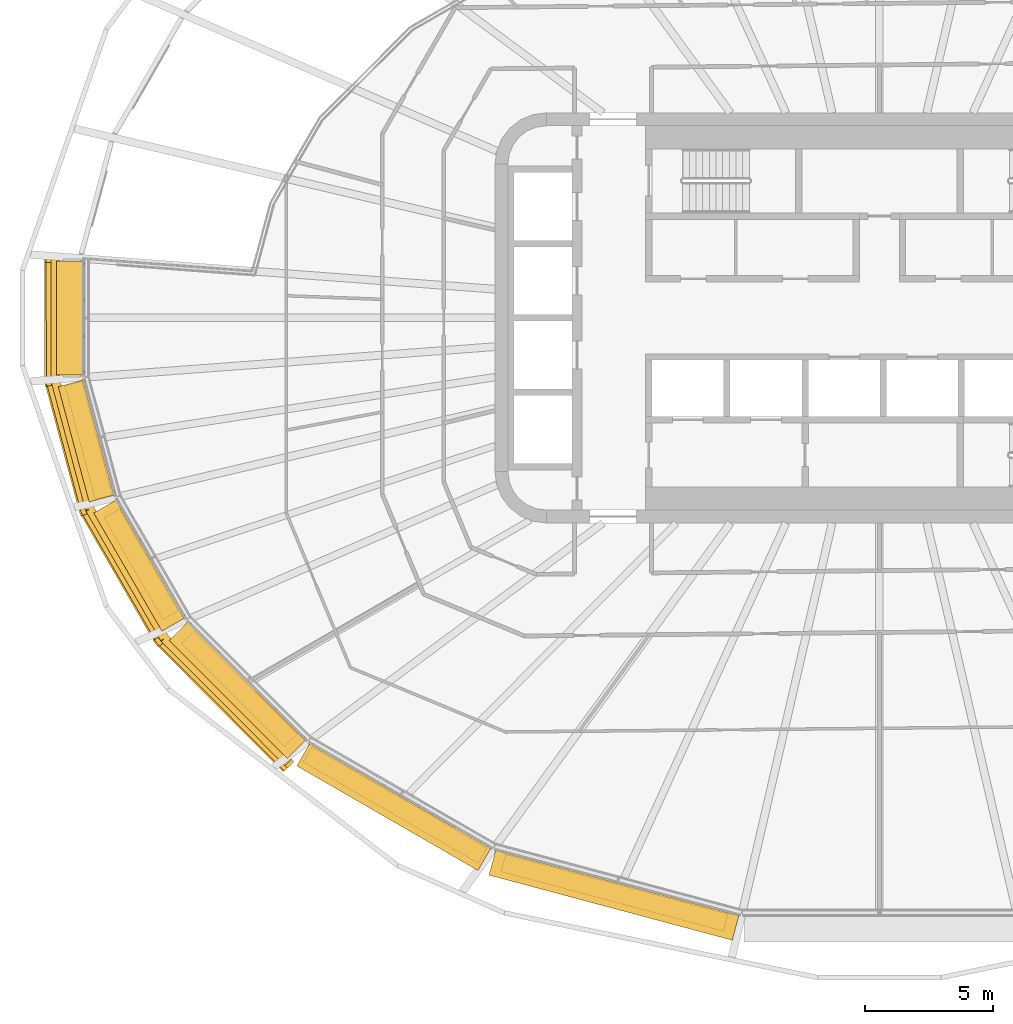
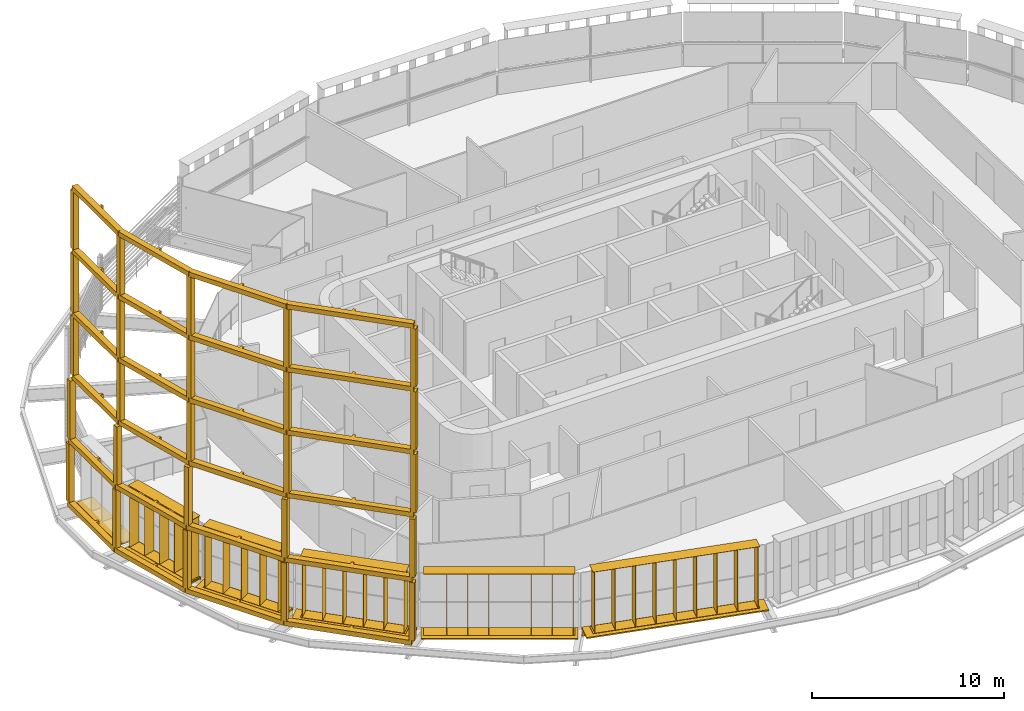
# One storey, part 17 of 22: 12 shading devices.
"""IFC4 building model written with IfcOpenShell, lengths in metres."""

from ifc_helpers import new_model, si_unit, direction, frame, origin, origin_2d, place, context, subcontext, project, spatial, polyline, rectangle, outline, extrude, material, type_object, element, save


model = new_model("IFC4")

# Units and contexts
model_context = context("Model", 3, precision=1e-05, world=origin(), true_north=direction((0.0, 1.0)))
body_context = subcontext(model_context, "Body", "Model", "MODEL_VIEW")
ifc_project = project(units=[si_unit("LENGTHUNIT", "METRE"), si_unit("AREAUNIT", "SQUARE_METRE"), si_unit("VOLUMEUNIT", "CUBIC_METRE"), si_unit("PLANEANGLEUNIT", "RADIAN"), si_unit("MASSUNIT", "GRAM", prefix="KILO")], contexts=[model_context])

# Site, building, storey
site_placement = place(None, origin())
site = spatial("IfcSite", under=ifc_project, at=site_placement, CompositionType="ELEMENT")
building_placement = place(site_placement, origin())
building = spatial("IfcBuilding", under=site, at=building_placement, Name="Sahrelin Media Tower", CompositionType="ELEMENT")
storey_placement = place(building_placement, frame((0.0, 0.0, 177.60009765625)))
storey = spatial("IfcBuildingStorey", under=building, at=storey_placement, Name="L37", CompositionType="ELEMENT", Elevation=177.60009765625)

# Shading devices
ifc_material_1 = material(Name="Dark bronze anodised aluminium 6063-T6", Category="aluminium")
shading_device_type_1 = type_object("IfcShadingDeviceType", Name="Deep frame", PredefinedType="USERDEFINED", material=ifc_material_1)
shading_device_1_placement = place(storey_placement, frame((-31.081787109375, 2.32177734375, 0.0), z_axis=(0.0, 0.0, 1.0), x_axis=(0.0, 1.0, 0.0)))
element("IfcShadingDevice", 1, at=shading_device_1_placement, inside=storey, type_object=shading_device_type_1, Name="L37:FRAME:F3-2", ObjectType="FRAME", PredefinedType="USERDEFINED", context=body_context, shape_type="SweptSolid", body=[
    extrude(rectangle(XDim=0.300048828125, YDim=0.35009765625, at=origin_2d()), frame((0.0, 1.324951171875, 0.14990234375), z_axis=(0.0, 0.0, 1.0), x_axis=(-1.0, 0.0, 0.0)), (0.0, 0.0, 1.0), 3.7001953125),
    extrude(rectangle(XDim=0.300048828125, YDim=0.35009765625, at=origin_2d()), frame((-4.81640625, 1.313720703125, 0.14990234375), z_axis=(0.0, 0.0, 1.0), x_axis=(-0.991436202368, -0.130591947046, 0.0)), (0.0, 0.0, 1.0), 3.7001953125),
    extrude(rectangle(XDim=0.300048828125, YDim=0.35009765625, at=origin_2d()), frame((-9.841796875, -0.03271484375, 0.14990234375), z_axis=(0.0, 0.0, 1.0), x_axis=(-0.923897565017, -0.382639895143, 0.0)), (0.0, 0.0, 1.0), 3.7001953125),
    extrude(rectangle(XDim=0.300048828125, YDim=0.35009765625, at=origin_2d()), frame((-14.9267578125, -2.96875, 0.14990234375), z_axis=(0.0, 0.0, 1.0), x_axis=(-0.793352277801, -0.608762813671, 0.0)), (0.0, 0.0, 1.0), 3.7001953125),
    extrude(rectangle(XDim=0.300048828125, YDim=0.35009765625, at=origin_2d()), frame((-19.804443359375, -7.830322265625, 0.14990234375), z_axis=(0.0, 0.0, 1.0), x_axis=(-0.707106781187, -0.707106781187, 0.0)), (0.0, 0.0, 1.0), 3.7001953125),
    extrude(outline(polyline([(-19.927978515625, -7.706298828125), (-19.680908203125, -7.9541015625), (-17.356201171875, -5.63720703125), (-17.23291015625, -5.7607421875), (-17.126708984375, -5.654541015625), (-17.25, -5.53125), (-14.819580078125, -3.10888671875), (-12.36181640625, -1.689697265625), (-12.27734375, -1.8359375), (-12.1474609375, -1.760986328125), (-12.231689453125, -1.61474609375), (-9.774169921875, -0.19580078125), (-7.356201171875, 0.451904296875), (-7.3125, 0.2890625), (-7.167724609375, 0.327880859375), (-7.21142578125, 0.49072265625), (-4.793212890625, 1.138671875), (-2.396728515625, 1.144287109375), (-2.396728515625, 0.969970703125), (-2.246826171875, 0.969970703125), (-2.246826171875, 1.144775390625), (0.00048828125, 1.14990234375), (-0.00048828125, 1.5), (-4.81689453125, 1.48876953125), (-4.81640625, 1.313720703125), (-4.86181640625, 1.482666015625), (-9.886962890625, 0.13623046875), (-9.841796875, -0.03271484375), (-9.92919921875, 0.118896484375), (-15.014404296875, -2.817138671875), (-14.9267578125, -2.96875), (-15.05029296875, -2.8447265625), (-19.927978515625, -7.706298828125)])), frame((0.0, 0.0, -0.14990234375)), (0.0, 0.0, 1.0), 0.2998046875),
    extrude(rectangle(XDim=0.300048828125, YDim=0.35009765625, at=origin_2d()), frame((-0.005126953125, 1.2587890625, 4.14990234375), z_axis=(0.0, 0.0, 1.0), x_axis=(-1.0, 0.0, 0.0)), (0.0, 0.0, 1.0), 3.7001953125),
    extrude(rectangle(XDim=0.300048828125, YDim=0.35009765625, at=origin_2d()), frame((-4.811279296875, 1.24755859375, 4.14990234375), z_axis=(0.0, 0.0, 1.0), x_axis=(-0.991434606813, -0.130604059715, 0.0)), (0.0, 0.0, 1.0), 3.7001953125),
    extrude(rectangle(XDim=0.300048828125, YDim=0.35009765625, at=origin_2d()), frame((-9.825927734375, -0.09619140625, 4.14990234375), z_axis=(0.0, 0.0, 1.0), x_axis=(-0.923862165937, -0.382725356294, 0.0)), (0.0, 0.0, 1.0), 3.7001953125),
    extrude(rectangle(XDim=0.300048828125, YDim=0.35009765625, at=origin_2d()), frame((-14.900634765625, -3.02587890625, 4.14990234375), z_axis=(0.0, 0.0, 1.0), x_axis=(-0.793352277801, -0.608762813671, 0.0)), (0.0, 0.0, 1.0), 3.7001953125),
    extrude(rectangle(XDim=0.300048828125, YDim=0.35009765625, at=origin_2d()), frame((-19.767822265625, -7.877197265625, 4.14990234375), z_axis=(0.0, 0.0, 1.0), x_axis=(-0.707106781187, -0.707106781187, 0.0)), (0.0, 0.0, 1.0), 3.7001953125),
    extrude(outline(polyline([(-19.8916015625, -7.75341796875), (-19.644287109375, -8.001220703125), (-17.324951171875, -5.689453125), (-17.201416015625, -5.812744140625), (-17.095458984375, -5.706787109375), (-17.218505859375, -5.58349609375), (-14.793212890625, -3.166015625), (-12.3408203125, -1.75), (-12.25634765625, -1.896240234375), (-12.12646484375, -1.8212890625), (-12.210693359375, -1.675048828125), (-9.75830078125, -0.25927734375), (-7.345703125, 0.38720703125), (-7.30224609375, 0.224365234375), (-7.1572265625, 0.26318359375), (-7.200927734375, 0.426025390625), (-4.7880859375, 1.072509765625), (-2.396728515625, 1.078369140625), (-2.396728515625, 0.90380859375), (-2.246826171875, 0.90380859375), (-2.246826171875, 1.07861328125), (-0.0048828125, 1.083984375), (-0.005615234375, 1.433837890625), (-4.811767578125, 1.422607421875), (-4.811279296875, 1.24755859375), (-4.856689453125, 1.41650390625), (-9.871337890625, 0.072998046875), (-9.825927734375, -0.09619140625), (-9.91357421875, 0.055419921875), (-14.988037109375, -2.87451171875), (-14.900634765625, -3.02587890625), (-15.024169921875, -2.902099609375), (-19.8916015625, -7.75341796875)])), frame((0.0, 0.0, 3.85009765625)), (0.0, 0.0, 1.0), 0.2998046875),
    extrude(rectangle(XDim=0.300048828125, YDim=0.35009765625, at=origin_2d()), frame((-0.02001953125, 1.070556640625, 8.14990234375), z_axis=(0.0, 0.0, 1.0), x_axis=(-1.0, 0.0, 0.0)), (0.0, 0.0, 1.0), 3.7001953125),
    extrude(rectangle(XDim=0.300048828125, YDim=0.35009765625, at=origin_2d()), frame((-4.796630859375, 1.059326171875, 8.14990234375), z_axis=(0.0, 0.0, 1.0), x_axis=(-0.991434606813, -0.130604059715, 0.0)), (0.0, 0.0, 1.0), 3.7001953125),
    extrude(rectangle(XDim=0.300048828125, YDim=0.35009765625, at=origin_2d()), frame((-9.781494140625, -0.276611328125, 8.14990234375), z_axis=(0.0, 0.0, 1.0), x_axis=(-0.923897565017, -0.382639895143, 0.0)), (0.0, 0.0, 1.0), 3.7001953125),
    extrude(rectangle(XDim=0.300048828125, YDim=0.35009765625, at=origin_2d()), frame((-14.825927734375, -3.18896484375, 8.14990234375), z_axis=(0.0, 0.0, 1.0), x_axis=(-0.793352277801, -0.608762813671, 0.0)), (0.0, 0.0, 1.0), 3.7001953125),
    extrude(rectangle(XDim=0.300048828125, YDim=0.35009765625, at=origin_2d()), frame((-19.663818359375, -8.0107421875, 8.14990234375), z_axis=(0.0, 0.0, 1.0), x_axis=(-0.707106781187, -0.707106781187, 0.0)), (0.0, 0.0, 1.0), 3.7001953125),
    extrude(outline(polyline([(-19.787353515625, -7.88671875), (-19.540283203125, -8.134765625), (-17.235595703125, -5.837646484375), (-17.112060546875, -5.9609375), (-17.006103515625, -5.85498046875), (-17.129150390625, -5.731689453125), (-14.718505859375, -3.3291015625), (-12.281005859375, -1.921630859375), (-12.19677734375, -2.06787109375), (-12.06689453125, -1.992919921875), (-12.151123046875, -1.8466796875), (-9.7138671875, -0.439453125), (-7.316162109375, 0.202880859375), (-7.2724609375, 0.0400390625), (-7.127685546875, 0.078857421875), (-7.171142578125, 0.24169921875), (-4.773193359375, 0.88427734375), (-2.396728515625, 0.889892578125), (-2.396728515625, 0.715576171875), (-2.246826171875, 0.715576171875), (-2.246826171875, 0.890380859375), (-0.01953125, 0.8955078125), (-0.0205078125, 1.24560546875), (-4.797119140625, 1.234375), (-4.796630859375, 1.059326171875), (-4.841796875, 1.228271484375), (-9.82666015625, -0.107421875), (-9.781494140625, -0.276611328125), (-9.868896484375, -0.125), (-14.913330078125, -3.037353515625), (-14.825927734375, -3.18896484375), (-14.949462890625, -3.06494140625), (-19.787353515625, -7.88671875)])), frame((0.0, 0.0, 7.85009765625)), (0.0, 0.0, 1.0), 0.2998046875),
    extrude(rectangle(XDim=0.300048828125, YDim=0.35009765625, at=origin_2d()), frame((-0.02001953125, 1.070556640625, 12.14990234375), z_axis=(0.0, 0.0, 1.0), x_axis=(-1.0, 0.0, 0.0)), (0.0, 0.0, 1.0), 3.7001953125),
    extrude(rectangle(XDim=0.300048828125, YDim=0.35009765625, at=origin_2d()), frame((-4.796630859375, 1.059326171875, 12.14990234375), z_axis=(0.0, 0.0, 1.0), x_axis=(-0.991434606813, -0.130604059715, 0.0)), (0.0, 0.0, 1.0), 3.7001953125),
    extrude(rectangle(XDim=0.300048828125, YDim=0.35009765625, at=origin_2d()), frame((-9.781494140625, -0.276611328125, 12.14990234375), z_axis=(0.0, 0.0, 1.0), x_axis=(-0.923897565017, -0.382639895143, 0.0)), (0.0, 0.0, 1.0), 3.7001953125),
    extrude(rectangle(XDim=0.300048828125, YDim=0.35009765625, at=origin_2d()), frame((-14.825927734375, -3.18896484375, 12.14990234375), z_axis=(0.0, 0.0, 1.0), x_axis=(-0.793352277801, -0.608762813671, 0.0)), (0.0, 0.0, 1.0), 3.7001953125),
    extrude(rectangle(XDim=0.300048828125, YDim=0.35009765625, at=origin_2d()), frame((-19.663818359375, -8.0107421875, 12.14990234375), z_axis=(0.0, 0.0, 1.0), x_axis=(-0.707106781187, -0.707106781187, 0.0)), (0.0, 0.0, 1.0), 3.7001953125),
    extrude(outline(polyline([(-19.787353515625, -7.88671875), (-19.540283203125, -8.134765625), (-17.235595703125, -5.837646484375), (-17.112060546875, -5.9609375), (-17.006103515625, -5.85498046875), (-17.129150390625, -5.731689453125), (-14.718505859375, -3.3291015625), (-12.281005859375, -1.921630859375), (-12.19677734375, -2.06787109375), (-12.06689453125, -1.992919921875), (-12.151123046875, -1.8466796875), (-9.7138671875, -0.439453125), (-7.316162109375, 0.202880859375), (-7.2724609375, 0.0400390625), (-7.127685546875, 0.078857421875), (-7.171142578125, 0.24169921875), (-4.773193359375, 0.88427734375), (-2.396728515625, 0.889892578125), (-2.396728515625, 0.715576171875), (-2.246826171875, 0.715576171875), (-2.246826171875, 0.890380859375), (-0.01953125, 0.8955078125), (-0.0205078125, 1.24560546875), (-4.797119140625, 1.234375), (-4.796630859375, 1.059326171875), (-4.841796875, 1.228271484375), (-9.82666015625, -0.107421875), (-9.781494140625, -0.276611328125), (-9.868896484375, -0.125), (-14.913330078125, -3.037353515625), (-14.825927734375, -3.18896484375), (-14.949462890625, -3.06494140625), (-19.787353515625, -7.88671875)])), frame((0.0, 0.0, 11.85009765625)), (0.0, 0.0, 1.0), 0.2998046875),
    extrude(rectangle(XDim=0.300048828125, YDim=0.35009765625, at=origin_2d()), frame((-0.02001953125, 1.070556640625, 16.14990234375), z_axis=(0.0, 0.0, 1.0), x_axis=(-1.0, 0.0, 0.0)), (0.0, 0.0, 1.0), 3.7001953125),
    extrude(rectangle(XDim=0.300048828125, YDim=0.35009765625, at=origin_2d()), frame((-4.796630859375, 1.059326171875, 16.14990234375), z_axis=(0.0, 0.0, 1.0), x_axis=(-0.991434606813, -0.130604059715, 0.0)), (0.0, 0.0, 1.0), 3.7001953125),
    extrude(rectangle(XDim=0.300048828125, YDim=0.35009765625, at=origin_2d()), frame((-9.781494140625, -0.276611328125, 16.14990234375), z_axis=(0.0, 0.0, 1.0), x_axis=(-0.923897565017, -0.382639895143, 0.0)), (0.0, 0.0, 1.0), 3.7001953125),
    extrude(rectangle(XDim=0.300048828125, YDim=0.35009765625, at=origin_2d()), frame((-14.825927734375, -3.18896484375, 16.14990234375), z_axis=(0.0, 0.0, 1.0), x_axis=(-0.793352277801, -0.608762813671, 0.0)), (0.0, 0.0, 1.0), 3.7001953125),
    extrude(rectangle(XDim=0.300048828125, YDim=0.35009765625, at=origin_2d()), frame((-19.663818359375, -8.0107421875, 16.14990234375), z_axis=(0.0, 0.0, 1.0), x_axis=(-0.707106781187, -0.707106781187, 0.0)), (0.0, 0.0, 1.0), 3.7001953125),
    extrude(outline(polyline([(-19.787353515625, -7.88671875), (-19.540283203125, -8.134765625), (-17.235595703125, -5.837646484375), (-17.112060546875, -5.9609375), (-17.006103515625, -5.85498046875), (-17.129150390625, -5.731689453125), (-14.718505859375, -3.3291015625), (-12.281005859375, -1.921630859375), (-12.19677734375, -2.06787109375), (-12.06689453125, -1.992919921875), (-12.151123046875, -1.8466796875), (-9.7138671875, -0.439453125), (-7.316162109375, 0.202880859375), (-7.2724609375, 0.0400390625), (-7.127685546875, 0.078857421875), (-7.171142578125, 0.24169921875), (-4.773193359375, 0.88427734375), (-2.396728515625, 0.889892578125), (-2.396728515625, 0.715576171875), (-2.246826171875, 0.715576171875), (-2.246826171875, 0.890380859375), (-0.01953125, 0.8955078125), (-0.0205078125, 1.24560546875), (-4.797119140625, 1.234375), (-4.796630859375, 1.059326171875), (-4.841796875, 1.228271484375), (-9.82666015625, -0.107421875), (-9.781494140625, -0.276611328125), (-9.868896484375, -0.125), (-14.913330078125, -3.037353515625), (-14.825927734375, -3.18896484375), (-14.949462890625, -3.06494140625), (-19.787353515625, -7.88671875)])), frame((0.0, 0.0, 15.85009765625)), (0.0, 0.0, 1.0), 0.2998046875),
    extrude(outline(polyline([(-19.787353515625, -7.88671875), (-19.540283203125, -8.134765625), (-17.235595703125, -5.837646484375), (-17.112060546875, -5.9609375), (-17.006103515625, -5.85498046875), (-17.129150390625, -5.731689453125), (-14.718505859375, -3.3291015625), (-12.281005859375, -1.921630859375), (-12.19677734375, -2.06787109375), (-12.06689453125, -1.992919921875), (-12.151123046875, -1.8466796875), (-9.7138671875, -0.439453125), (-7.316162109375, 0.202880859375), (-7.2724609375, 0.0400390625), (-7.127685546875, 0.078857421875), (-7.171142578125, 0.24169921875), (-4.773193359375, 0.88427734375), (-2.396728515625, 0.889892578125), (-2.396728515625, 0.715576171875), (-2.246826171875, 0.715576171875), (-2.246826171875, 0.890380859375), (-0.01953125, 0.8955078125), (-0.0205078125, 1.24560546875), (-4.797119140625, 1.234375), (-4.796630859375, 1.059326171875), (-4.841796875, 1.228271484375), (-9.82666015625, -0.107421875), (-9.781494140625, -0.276611328125), (-9.868896484375, -0.125), (-14.913330078125, -3.037353515625), (-14.825927734375, -3.18896484375), (-14.949462890625, -3.06494140625), (-19.787353515625, -7.88671875)])), frame((0.0, 0.0, 19.85009765625)), (0.0, 0.0, 1.0), 0.2998046875),
])
ifc_material_2 = material(Name="Champagne anodised aluminium 6063-T6", Category="aluminium")
shading_device_type_2 = type_object("IfcShadingDeviceType", Name="Fin cassette", PredefinedType="USERDEFINED", material=ifc_material_2)
placement_1 = place(storey_placement, frame((-30.453369140625, -4.667236328125, 0.0), z_axis=(0.0, 0.0, 1.0), x_axis=(-0.258807731996, 0.965928857556, 0.0)))
element("IfcShadingDevice", 2, at=placement_1, inside=storey, type_object=shading_device_type_2, Name="L37:FIN:L37-13", ObjectType="FIN", PredefinedType="USERDEFINED", context=body_context, shape_type="SweptSolid", body=[
    extrude(rectangle(XDim=4.60009765625, YDim=0.699951171875, at=origin_2d()), frame((0.0, 0.419921875, 0.0)), (0.0, 0.0, 1.0), 0.02001953125),
    extrude(rectangle(XDim=4.60009765625, YDim=0.699951171875, at=origin_2d()), frame((0.0, 0.419921875, 3.89990234375)), (0.0, 0.0, 1.0), 0.02001953125),
    extrude(rectangle(XDim=0.02001953125, YDim=0.699951171875, at=origin_2d()), frame((-2.199951171875, 0.419921875, 0.010009765625), z_axis=(0.0, 0.0, 1.0), x_axis=(1.0, 0.0, 0.0)), (0.0, 0.0, 1.0), 3.89990234375),
    extrude(rectangle(XDim=0.02001953125, YDim=0.699951171875, at=origin_2d()), frame((-1.10009765625, 0.419921875, 0.010009765625), z_axis=(0.0, 0.0, 1.0), x_axis=(1.0, 0.0, 0.0)), (0.0, 0.0, 1.0), 3.89990234375),
    extrude(rectangle(XDim=0.02001953125, YDim=0.699951171875, at=origin_2d()), frame((0.0, 0.419921875, 0.010009765625), z_axis=(0.0, 0.0, 1.0), x_axis=(1.0, 0.0, 0.0)), (0.0, 0.0, 1.0), 3.89990234375),
    extrude(rectangle(XDim=0.02001953125, YDim=0.699951171875, at=origin_2d()), frame((1.10009765625, 0.419921875, 0.010009765625), z_axis=(0.0, 0.0, 1.0), x_axis=(1.0, 0.0, 0.0)), (0.0, 0.0, 1.0), 3.89990234375),
    extrude(rectangle(XDim=0.02001953125, YDim=0.699951171875, at=origin_2d()), frame((2.199951171875, 0.419921875, 0.010009765625), z_axis=(0.0, 0.0, 1.0), x_axis=(1.0, 0.0, 0.0)), (0.0, 0.0, 1.0), 3.89990234375),
])
placement_2 = place(storey_placement, frame((-28.443359375, -9.405517578125, 0.0), z_axis=(0.0, 0.0, 1.0), x_axis=(-0.500011000363, 0.866019052629, 0.0)))
element("IfcShadingDevice", 3, at=placement_2, inside=storey, type_object=shading_device_type_2, Name="L37:FIN:L37-14", ObjectType="FIN", PredefinedType="USERDEFINED", context=body_context, shape_type="SweptSolid", body=[
    extrude(rectangle(XDim=4.60009765625, YDim=0.699951171875, at=origin_2d()), frame((0.0, 0.419921875, 0.0)), (0.0, 0.0, 1.0), 0.02001953125),
    extrude(rectangle(XDim=4.60009765625, YDim=0.699951171875, at=origin_2d()), frame((0.0, 0.419921875, 3.89990234375)), (0.0, 0.0, 1.0), 0.02001953125),
    extrude(rectangle(XDim=0.02001953125, YDim=0.699951171875, at=origin_2d()), frame((-2.199951171875, 0.419921875, 0.010009765625), z_axis=(0.0, 0.0, 1.0), x_axis=(1.0, 0.0, 0.0)), (0.0, 0.0, 1.0), 3.89990234375),
    extrude(rectangle(XDim=0.02001953125, YDim=0.699951171875, at=origin_2d()), frame((-1.10009765625, 0.419921875, 0.010009765625), z_axis=(0.0, 0.0, 1.0), x_axis=(1.0, 0.0, 0.0)), (0.0, 0.0, 1.0), 3.89990234375),
    extrude(rectangle(XDim=0.02001953125, YDim=0.699951171875, at=origin_2d()), frame((0.0, 0.419921875, 0.010009765625), z_axis=(0.0, 0.0, 1.0), x_axis=(1.0, 0.0, 0.0)), (0.0, 0.0, 1.0), 3.89990234375),
    extrude(rectangle(XDim=0.02001953125, YDim=0.699951171875, at=origin_2d()), frame((1.10009765625, 0.419921875, 0.010009765625), z_axis=(0.0, 0.0, 1.0), x_axis=(1.0, 0.0, 0.0)), (0.0, 0.0, 1.0), 3.89990234375),
    extrude(rectangle(XDim=0.02001953125, YDim=0.699951171875, at=origin_2d()), frame((2.199951171875, 0.419921875, 0.010009765625), z_axis=(0.0, 0.0, 1.0), x_axis=(1.0, 0.0, 0.0)), (0.0, 0.0, 1.0), 3.89990234375),
])
placement_3 = place(storey_placement, frame((-24.688232421875, -14.172119140625, 0.0), z_axis=(0.0, 0.0, 1.0), x_axis=(-0.707106781187, 0.707106781187, 0.0)))
element("IfcShadingDevice", 4, at=placement_3, inside=storey, type_object=shading_device_type_2, Name="L37:FIN:L37-15", ObjectType="FIN", PredefinedType="USERDEFINED", context=body_context, shape_type="SweptSolid", body=[
    extrude(rectangle(XDim=5.699951171875, YDim=0.699951171875, at=origin_2d()), frame((0.0, 0.419921875, 0.0)), (0.0, 0.0, 1.0), 0.02001953125),
    extrude(rectangle(XDim=5.699951171875, YDim=0.699951171875, at=origin_2d()), frame((0.0, 0.419921875, 3.89990234375)), (0.0, 0.0, 1.0), 0.02001953125),
    extrude(rectangle(XDim=0.02001953125, YDim=0.699951171875, at=origin_2d()), frame((-2.75, 0.419921875, 0.010009765625), z_axis=(0.0, 0.0, 1.0), x_axis=(1.0, 0.0, 0.0)), (0.0, 0.0, 1.0), 3.89990234375),
    extrude(rectangle(XDim=0.02001953125, YDim=0.699951171875, at=origin_2d()), frame((-1.64990234375, 0.419921875, 0.010009765625), z_axis=(0.0, 0.0, 1.0), x_axis=(1.0, 0.0, 0.0)), (0.0, 0.0, 1.0), 3.89990234375),
    extrude(rectangle(XDim=0.02001953125, YDim=0.699951171875, at=origin_2d()), frame((-0.550048828125, 0.419921875, 0.010009765625), z_axis=(0.0, 0.0, 1.0), x_axis=(1.0, 0.0, 0.0)), (0.0, 0.0, 1.0), 3.89990234375),
    extrude(rectangle(XDim=0.02001953125, YDim=0.699951171875, at=origin_2d()), frame((0.550048828125, 0.419921875, 0.010009765625), z_axis=(0.0, 0.0, 1.0), x_axis=(1.0, 0.0, 0.0)), (0.0, 0.0, 1.0), 3.89990234375),
    extrude(rectangle(XDim=0.02001953125, YDim=0.699951171875, at=origin_2d()), frame((1.64990234375, 0.419921875, 0.010009765625), z_axis=(0.0, 0.0, 1.0), x_axis=(1.0, 0.0, 0.0)), (0.0, 0.0, 1.0), 3.89990234375),
    extrude(rectangle(XDim=0.02001953125, YDim=0.699951171875, at=origin_2d()), frame((2.75, 0.419921875, 0.010009765625), z_axis=(0.0, 0.0, 1.0), x_axis=(1.0, 0.0, 0.0)), (0.0, 0.0, 1.0), 3.89990234375),
])
placement_4 = place(storey_placement, frame((-18.691162109375, -18.6376953125, 0.0), z_axis=(0.0, 0.0, 1.0), x_axis=(-0.866019052629, 0.500011000363, 0.0)))
element("IfcShadingDevice", 5, at=placement_4, inside=storey, type_object=shading_device_type_2, Name="L37:FIN:L37-16", ObjectType="FIN", PredefinedType="USERDEFINED", context=body_context, shape_type="SweptSolid", body=[
    extrude(rectangle(XDim=7.89990234375, YDim=0.699951171875, at=origin_2d()), frame((0.0, 0.419921875, 0.0)), (0.0, 0.0, 1.0), 0.02001953125),
    extrude(rectangle(XDim=7.89990234375, YDim=0.699951171875, at=origin_2d()), frame((0.0, 0.419921875, 3.89990234375)), (0.0, 0.0, 1.0), 0.02001953125),
    extrude(rectangle(XDim=0.02001953125, YDim=0.699951171875, at=origin_2d()), frame((-3.85009765625, 0.419921875, 0.010009765625), z_axis=(0.0, 0.0, 1.0), x_axis=(1.0, 0.0, 0.0)), (0.0, 0.0, 1.0), 3.89990234375),
    extrude(rectangle(XDim=0.02001953125, YDim=0.699951171875, at=origin_2d()), frame((-2.75, 0.419921875, 0.010009765625), z_axis=(0.0, 0.0, 1.0), x_axis=(1.0, 0.0, 0.0)), (0.0, 0.0, 1.0), 3.89990234375),
    extrude(rectangle(XDim=0.02001953125, YDim=0.699951171875, at=origin_2d()), frame((-1.64990234375, 0.419921875, 0.010009765625), z_axis=(0.0, 0.0, 1.0), x_axis=(1.0, 0.0, 0.0)), (0.0, 0.0, 1.0), 3.89990234375),
    extrude(rectangle(XDim=0.02001953125, YDim=0.699951171875, at=origin_2d()), frame((-0.550048828125, 0.419921875, 0.010009765625), z_axis=(0.0, 0.0, 1.0), x_axis=(1.0, 0.0, 0.0)), (0.0, 0.0, 1.0), 3.89990234375),
    extrude(rectangle(XDim=0.02001953125, YDim=0.699951171875, at=origin_2d()), frame((0.550048828125, 0.419921875, 0.010009765625), z_axis=(0.0, 0.0, 1.0), x_axis=(1.0, 0.0, 0.0)), (0.0, 0.0, 1.0), 3.89990234375),
    extrude(rectangle(XDim=0.02001953125, YDim=0.699951171875, at=origin_2d()), frame((1.64990234375, 0.419921875, 0.010009765625), z_axis=(0.0, 0.0, 1.0), x_axis=(1.0, 0.0, 0.0)), (0.0, 0.0, 1.0), 3.89990234375),
    extrude(rectangle(XDim=0.02001953125, YDim=0.699951171875, at=origin_2d()), frame((2.75, 0.419921875, 0.010009765625), z_axis=(0.0, 0.0, 1.0), x_axis=(1.0, 0.0, 0.0)), (0.0, 0.0, 1.0), 3.89990234375),
    extrude(rectangle(XDim=0.02001953125, YDim=0.699951171875, at=origin_2d()), frame((3.85009765625, 0.419921875, 0.010009765625), z_axis=(0.0, 0.0, 1.0), x_axis=(1.0, 0.0, 0.0)), (0.0, 0.0, 1.0), 3.89990234375),
])
placement_5 = place(storey_placement, frame((-10.22509765625, -22.027099609375, 0.0), z_axis=(0.0, 0.0, 1.0), x_axis=(-0.965928857556, 0.258807731996, 0.0)))
element("IfcShadingDevice", 6, at=placement_5, inside=storey, type_object=shading_device_type_2, Name="L37:FIN:L37-17", ObjectType="FIN", PredefinedType="USERDEFINED", context=body_context, shape_type="SweptSolid", body=[
    extrude(rectangle(XDim=9.0, YDim=0.699951171875, at=origin_2d()), frame((0.0, 0.419921875, 0.0)), (0.0, 0.0, 1.0), 0.02001953125),
    extrude(rectangle(XDim=9.0, YDim=0.699951171875, at=origin_2d()), frame((0.0, 0.419921875, 3.89990234375)), (0.0, 0.0, 1.0), 0.02001953125),
    extrude(rectangle(XDim=0.02001953125, YDim=0.699951171875, at=origin_2d()), frame((-4.39990234375, 0.419921875, 0.010009765625), z_axis=(0.0, 0.0, 1.0), x_axis=(1.0, 0.0, 0.0)), (0.0, 0.0, 1.0), 3.89990234375),
    extrude(rectangle(XDim=0.02001953125, YDim=0.699951171875, at=origin_2d()), frame((-3.300048828125, 0.419921875, 0.010009765625), z_axis=(0.0, 0.0, 1.0), x_axis=(1.0, 0.0, 0.0)), (0.0, 0.0, 1.0), 3.89990234375),
    extrude(rectangle(XDim=0.02001953125, YDim=0.699951171875, at=origin_2d()), frame((-2.199951171875, 0.419921875, 0.010009765625), z_axis=(0.0, 0.0, 1.0), x_axis=(1.0, 0.0, 0.0)), (0.0, 0.0, 1.0), 3.89990234375),
    extrude(rectangle(XDim=0.02001953125, YDim=0.699951171875, at=origin_2d()), frame((-1.10009765625, 0.419921875, 0.010009765625), z_axis=(0.0, 0.0, 1.0), x_axis=(1.0, 0.0, 0.0)), (0.0, 0.0, 1.0), 3.89990234375),
    extrude(rectangle(XDim=0.02001953125, YDim=0.699951171875, at=origin_2d()), frame((0.0, 0.419921875, 0.010009765625), z_axis=(0.0, 0.0, 1.0), x_axis=(1.0, 0.0, 0.0)), (0.0, 0.0, 1.0), 3.89990234375),
    extrude(rectangle(XDim=0.02001953125, YDim=0.699951171875, at=origin_2d()), frame((1.10009765625, 0.419921875, 0.010009765625), z_axis=(0.0, 0.0, 1.0), x_axis=(1.0, 0.0, 0.0)), (0.0, 0.0, 1.0), 3.89990234375),
    extrude(rectangle(XDim=0.02001953125, YDim=0.699951171875, at=origin_2d()), frame((2.199951171875, 0.419921875, 0.010009765625), z_axis=(0.0, 0.0, 1.0), x_axis=(1.0, 0.0, 0.0)), (0.0, 0.0, 1.0), 3.89990234375),
    extrude(rectangle(XDim=0.02001953125, YDim=0.699951171875, at=origin_2d()), frame((3.300048828125, 0.419921875, 0.010009765625), z_axis=(0.0, 0.0, 1.0), x_axis=(1.0, 0.0, 0.0)), (0.0, 0.0, 1.0), 3.89990234375),
    extrude(rectangle(XDim=0.02001953125, YDim=0.699951171875, at=origin_2d()), frame((4.39990234375, 0.419921875, 0.010009765625), z_axis=(0.0, 0.0, 1.0), x_axis=(1.0, 0.0, 0.0)), (0.0, 0.0, 1.0), 3.89990234375),
])
shading_device_type_3 = type_object("IfcShadingDeviceType", Name="Sunshade band", PredefinedType="USERDEFINED", material=ifc_material_2)
shading_device_7_placement = place(storey_placement, frame((-31.081787109375, 0.0, 0.0), z_axis=(0.0, 0.0, 1.0), x_axis=(0.0, 1.0, 0.0)))
element("IfcShadingDevice", 7, at=shading_device_7_placement, inside=storey, type_object=shading_device_type_3, Name="L37:SUN:L37-12", ObjectType="SUNSHADE", PredefinedType="USERDEFINED", context=body_context, shape_type="SweptSolid", body=[
    extrude(rectangle(XDim=4.443603515625, YDim=0.050048828125, at=origin_2d()), frame((0.0, 0.044921875, -0.55126953125)), (0.0, 0.0, 1.0), 0.471435546875),
    extrude(rectangle(XDim=4.443603515625, YDim=1.0, at=origin_2d()), frame((0.0, 0.52001953125, -0.080078125)), (0.0, 0.0, 1.0), 0.080078125),
    extrude(rectangle(XDim=0.10009765625, YDim=0.074951171875, at=origin_2d()), frame((-2.121826171875, -0.017578125, -0.47021484375)), (0.0, 0.0, 1.0), 0.300048828125),
    extrude(rectangle(XDim=0.10009765625, YDim=0.074951171875, at=origin_2d()), frame((-0.707275390625, -0.017578125, -0.47021484375)), (0.0, 0.0, 1.0), 0.300048828125),
    extrude(rectangle(XDim=0.10009765625, YDim=0.074951171875, at=origin_2d()), frame((0.707275390625, -0.017578125, -0.47021484375)), (0.0, 0.0, 1.0), 0.300048828125),
    extrude(rectangle(XDim=0.10009765625, YDim=0.074951171875, at=origin_2d()), frame((2.121826171875, -0.017578125, -0.47021484375)), (0.0, 0.0, 1.0), 0.300048828125),
])
element("IfcShadingDevice", 8, at=placement_1, inside=storey, type_object=shading_device_type_3, Name="L37:SUN:L37-13", ObjectType="SUNSHADE", PredefinedType="USERDEFINED", context=body_context, shape_type="SweptSolid", body=[
    extrude(rectangle(XDim=4.656494140625, YDim=0.050048828125, at=origin_2d()), frame((0.0, 0.044921875, -0.55126953125)), (0.0, 0.0, 1.0), 0.471435546875),
    extrude(rectangle(XDim=4.656494140625, YDim=1.0, at=origin_2d()), frame((0.0, 0.52001953125, -0.080078125)), (0.0, 0.0, 1.0), 0.080078125),
    extrude(rectangle(XDim=0.10009765625, YDim=0.074951171875, at=origin_2d()), frame((-2.228271484375, -0.017578125, -0.47021484375)), (0.0, 0.0, 1.0), 0.300048828125),
    extrude(rectangle(XDim=0.10009765625, YDim=0.074951171875, at=origin_2d()), frame((-0.74267578125, -0.017578125, -0.47021484375)), (0.0, 0.0, 1.0), 0.300048828125),
    extrude(rectangle(XDim=0.10009765625, YDim=0.074951171875, at=origin_2d()), frame((0.74267578125, -0.017578125, -0.47021484375)), (0.0, 0.0, 1.0), 0.300048828125),
    extrude(rectangle(XDim=0.10009765625, YDim=0.074951171875, at=origin_2d()), frame((2.228271484375, -0.017578125, -0.47021484375)), (0.0, 0.0, 1.0), 0.300048828125),
])
element("IfcShadingDevice", 9, at=placement_2, inside=storey, type_object=shading_device_type_3, Name="L37:SUN:L37-14", ObjectType="SUNSHADE", PredefinedType="USERDEFINED", context=body_context, shape_type="SweptSolid", body=[
    extrude(rectangle(XDim=5.325927734375, YDim=0.050048828125, at=origin_2d()), frame((0.0, 0.044921875, -0.55126953125)), (0.0, 0.0, 1.0), 0.471435546875),
    extrude(rectangle(XDim=5.325927734375, YDim=1.0, at=origin_2d()), frame((0.0, 0.52001953125, -0.080078125)), (0.0, 0.0, 1.0), 0.080078125),
    extrude(rectangle(XDim=0.10009765625, YDim=0.074951171875, at=origin_2d()), frame((-2.56298828125, -0.017578125, -0.47021484375)), (0.0, 0.0, 1.0), 0.300048828125),
    extrude(rectangle(XDim=0.10009765625, YDim=0.074951171875, at=origin_2d()), frame((-0.854248046875, -0.017578125, -0.47021484375)), (0.0, 0.0, 1.0), 0.300048828125),
    extrude(rectangle(XDim=0.10009765625, YDim=0.074951171875, at=origin_2d()), frame((0.854248046875, -0.017578125, -0.47021484375)), (0.0, 0.0, 1.0), 0.300048828125),
    extrude(rectangle(XDim=0.10009765625, YDim=0.074951171875, at=origin_2d()), frame((2.56298828125, -0.017578125, -0.47021484375)), (0.0, 0.0, 1.0), 0.300048828125),
])
element("IfcShadingDevice", 10, at=placement_3, inside=storey, type_object=shading_device_type_3, Name="L37:SUN:L37-15", ObjectType="SUNSHADE", PredefinedType="USERDEFINED", context=body_context, shape_type="SweptSolid", body=[
    extrude(rectangle(XDim=6.513916015625, YDim=0.050048828125, at=origin_2d()), frame((0.0, 0.044921875, -0.55126953125)), (0.0, 0.0, 1.0), 0.471435546875),
    extrude(rectangle(XDim=6.513916015625, YDim=1.0, at=origin_2d()), frame((0.0, 0.52001953125, -0.080078125)), (0.0, 0.0, 1.0), 0.080078125),
    extrude(rectangle(XDim=0.10009765625, YDim=0.074951171875, at=origin_2d()), frame((-3.156982421875, -0.017578125, -0.47021484375)), (0.0, 0.0, 1.0), 0.300048828125),
    extrude(rectangle(XDim=0.10009765625, YDim=0.074951171875, at=origin_2d()), frame((-1.578369140625, -0.017578125, -0.47021484375)), (0.0, 0.0, 1.0), 0.300048828125),
    extrude(rectangle(XDim=0.10009765625, YDim=0.074951171875, at=origin_2d()), frame((0.0, -0.017578125, -0.47021484375)), (0.0, 0.0, 1.0), 0.300048828125),
    extrude(rectangle(XDim=0.10009765625, YDim=0.074951171875, at=origin_2d()), frame((1.578369140625, -0.017578125, -0.47021484375)), (0.0, 0.0, 1.0), 0.300048828125),
    extrude(rectangle(XDim=0.10009765625, YDim=0.074951171875, at=origin_2d()), frame((3.156982421875, -0.017578125, -0.47021484375)), (0.0, 0.0, 1.0), 0.300048828125),
])
element("IfcShadingDevice", 11, at=placement_4, inside=storey, type_object=shading_device_type_3, Name="L37:SUN:L37-16", ObjectType="SUNSHADE", PredefinedType="USERDEFINED", context=body_context, shape_type="SweptSolid", body=[
    extrude(rectangle(XDim=8.16748046875, YDim=0.050048828125, at=origin_2d()), frame((0.0, 0.044921875, -0.55126953125)), (0.0, 0.0, 1.0), 0.471435546875),
    extrude(rectangle(XDim=8.16748046875, YDim=1.0, at=origin_2d()), frame((0.0, 0.52001953125, -0.080078125)), (0.0, 0.0, 1.0), 0.080078125),
    extrude(rectangle(XDim=0.10009765625, YDim=0.074951171875, at=origin_2d()), frame((-3.98388671875, -0.017578125, -0.47021484375)), (0.0, 0.0, 1.0), 0.300048828125),
    extrude(rectangle(XDim=0.10009765625, YDim=0.074951171875, at=origin_2d()), frame((-2.390380859375, -0.017578125, -0.47021484375)), (0.0, 0.0, 1.0), 0.300048828125),
    extrude(rectangle(XDim=0.10009765625, YDim=0.074951171875, at=origin_2d()), frame((-0.796875, -0.017578125, -0.47021484375)), (0.0, 0.0, 1.0), 0.300048828125),
    extrude(rectangle(XDim=0.10009765625, YDim=0.074951171875, at=origin_2d()), frame((0.796875, -0.017578125, -0.47021484375)), (0.0, 0.0, 1.0), 0.300048828125),
    extrude(rectangle(XDim=0.10009765625, YDim=0.074951171875, at=origin_2d()), frame((2.390380859375, -0.017578125, -0.47021484375)), (0.0, 0.0, 1.0), 0.300048828125),
    extrude(rectangle(XDim=0.10009765625, YDim=0.074951171875, at=origin_2d()), frame((3.98388671875, -0.017578125, -0.47021484375)), (0.0, 0.0, 1.0), 0.300048828125),
])
element("IfcShadingDevice", 12, at=placement_5, inside=storey, type_object=shading_device_type_3, Name="L37:SUN:L37-17", ObjectType="SUNSHADE", PredefinedType="USERDEFINED", context=body_context, shape_type="SweptSolid", body=[
    extrude(rectangle(XDim=9.826904296875, YDim=0.050048828125, at=origin_2d()), frame((0.0, 0.044921875, -0.55126953125)), (0.0, 0.0, 1.0), 0.471435546875),
    extrude(rectangle(XDim=9.826904296875, YDim=1.0, at=origin_2d()), frame((0.0, 0.52001953125, -0.080078125)), (0.0, 0.0, 1.0), 0.080078125),
    extrude(rectangle(XDim=0.10009765625, YDim=0.074951171875, at=origin_2d()), frame((-4.8134765625, -0.017578125, -0.47021484375)), (0.0, 0.0, 1.0), 0.300048828125),
    extrude(rectangle(XDim=0.10009765625, YDim=0.074951171875, at=origin_2d()), frame((-2.88818359375, -0.017578125, -0.47021484375)), (0.0, 0.0, 1.0), 0.300048828125),
    extrude(rectangle(XDim=0.10009765625, YDim=0.074951171875, at=origin_2d()), frame((-0.962646484375, -0.017578125, -0.47021484375)), (0.0, 0.0, 1.0), 0.300048828125),
    extrude(rectangle(XDim=0.10009765625, YDim=0.074951171875, at=origin_2d()), frame((0.962646484375, -0.017578125, -0.47021484375)), (0.0, 0.0, 1.0), 0.300048828125),
    extrude(rectangle(XDim=0.10009765625, YDim=0.074951171875, at=origin_2d()), frame((2.88818359375, -0.017578125, -0.47021484375)), (0.0, 0.0, 1.0), 0.300048828125),
    extrude(rectangle(XDim=0.10009765625, YDim=0.074951171875, at=origin_2d()), frame((4.8134765625, -0.017578125, -0.47021484375)), (0.0, 0.0, 1.0), 0.300048828125),
])

save(model, "model.ifc")
